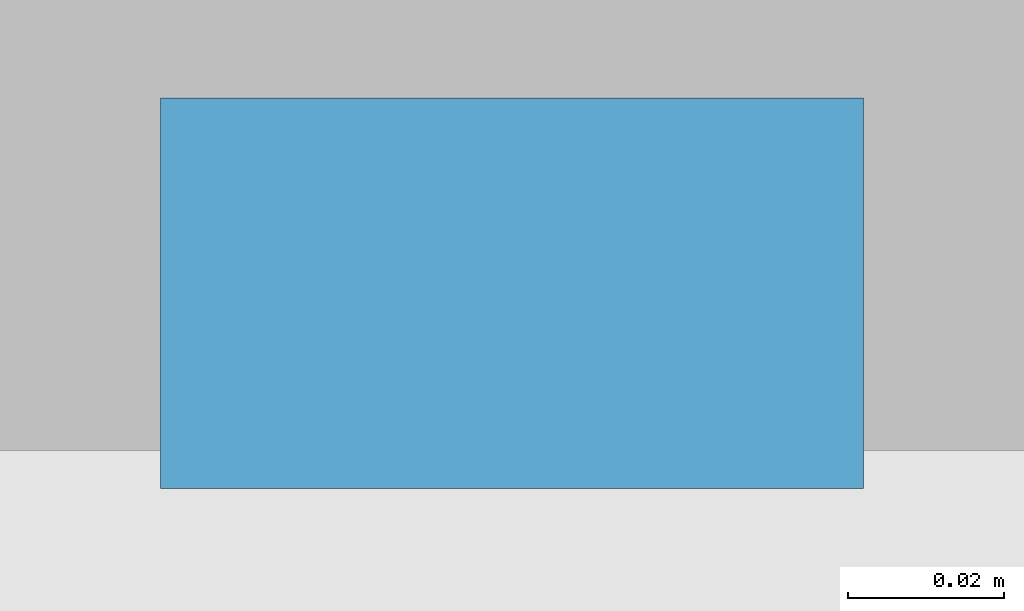
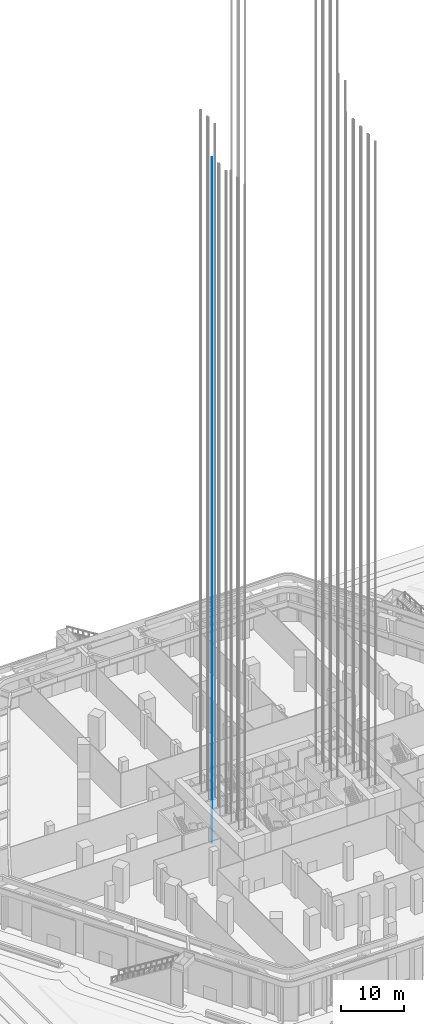
# One storey, part 34 of 68: 1 discrete accessory.
"""IFC4 building model written with IfcOpenShell, lengths in metres."""

from ifc_helpers import new_model, si_unit, direction, frame, origin, origin_2d, place, context, subcontext, project, spatial, rectangle, extrude, element, save


model = new_model("IFC4")

# Units and contexts
model_context = context("Model", 3, precision=1e-05, world=origin(), true_north=direction((0.0, 1.0)))
body_context = subcontext(model_context, "Body", "Model", "MODEL_VIEW")
ifc_project = project(units=[si_unit("LENGTHUNIT", "METRE"), si_unit("AREAUNIT", "SQUARE_METRE"), si_unit("VOLUMEUNIT", "CUBIC_METRE"), si_unit("PLANEANGLEUNIT", "RADIAN"), si_unit("MASSUNIT", "GRAM", prefix="KILO")], contexts=[model_context])

# Site, building, storey
site_placement = place(None, origin())
site = spatial("IfcSite", under=ifc_project, at=site_placement, CompositionType="ELEMENT")
building_placement = place(site_placement, origin())
building = spatial("IfcBuilding", under=site, at=building_placement, Name="Kolab Exchange Tower", CompositionType="ELEMENT")
storey_placement = place(building_placement, origin())
storey = spatial("IfcBuildingStorey", under=building, at=storey_placement, Name="L00", CompositionType="ELEMENT", Elevation=0.0)

# Discrete accessory
discrete_accessory_placement = place(storey_placement, frame((-12.699951171875, 2.27001953125, -1.599853515625), z_axis=(0.0, 0.0, 1.0), x_axis=(1.0, 0.0, 0.0)))
element("IfcDiscreteAccessory", 1, at=discrete_accessory_placement, inside=storey, Name="Guide rail LR8-2", ObjectType="GUIDE RAIL", PredefinedType="USERDEFINED", context=body_context, shape_type="SweptSolid", body=[
    extrude(rectangle(XDim=0.090087890625, YDim=0.050048828125, at=origin_2d()), origin(), (0.0, 0.0, 1.0), 133.39990234375),
])

save(model, "model.ifc")
